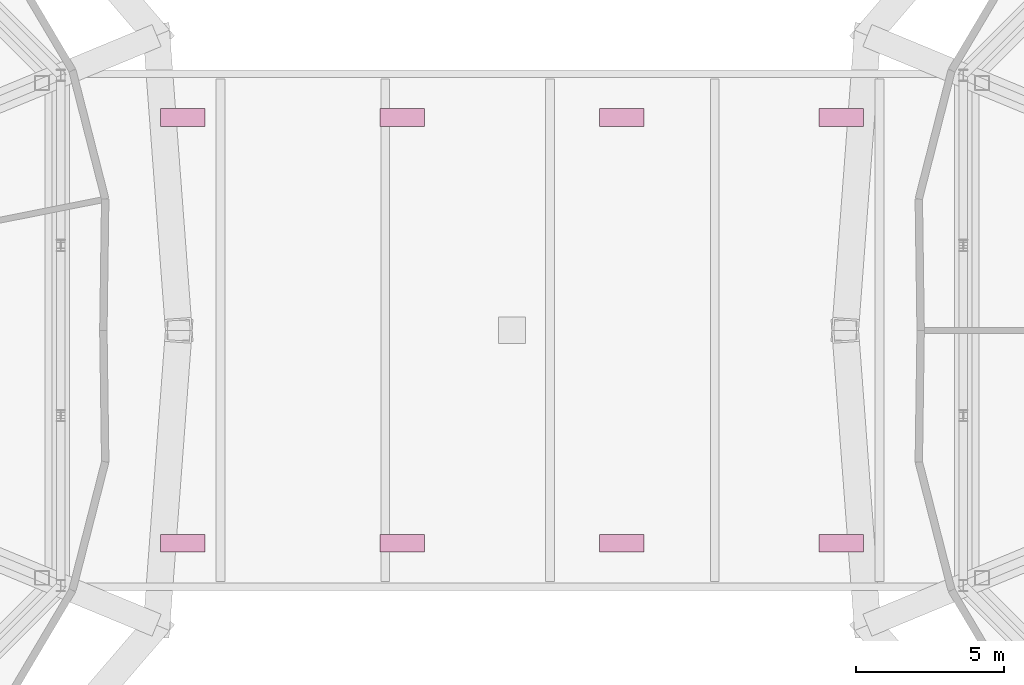
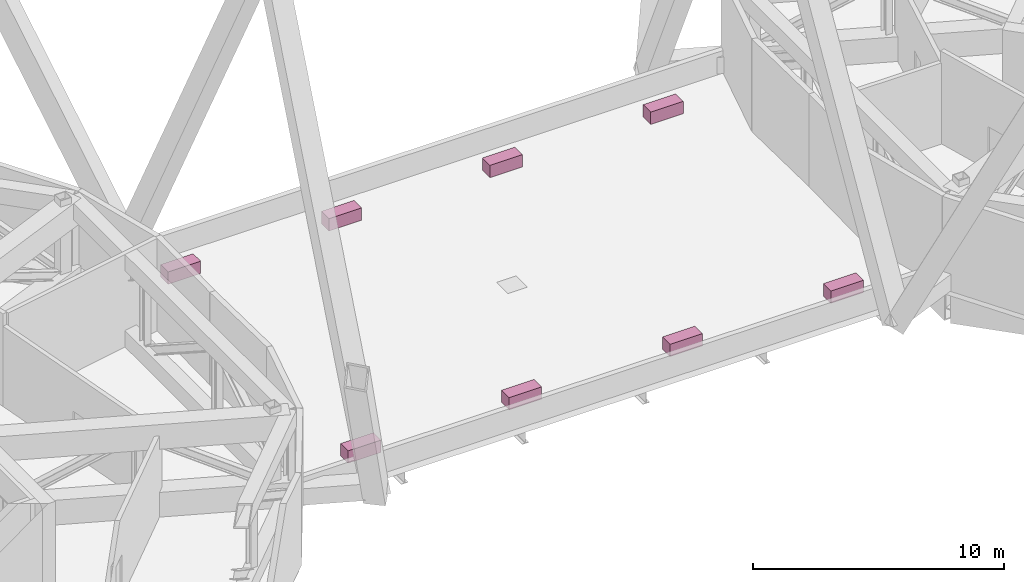
# One storey, part 20 of 20: 8 furniture elements.
"""IFC4 building model written with IfcOpenShell, lengths in metres."""

from ifc_helpers import new_model, si_unit, direction, frame, origin, origin_2d, place, context, subcontext, project, spatial, rectangle, extrude, material, type_object, element, save


model = new_model("IFC4")

# Units and contexts
model_context = context("Model", 3, precision=1e-05, world=origin(), true_north=direction((0.0, 1.0)))
body_context = subcontext(model_context, "Body", "Model", "MODEL_VIEW")
ifc_project = project(units=[si_unit("LENGTHUNIT", "METRE"), si_unit("AREAUNIT", "SQUARE_METRE"), si_unit("VOLUMEUNIT", "CUBIC_METRE"), si_unit("PLANEANGLEUNIT", "RADIAN"), si_unit("MASSUNIT", "GRAM", prefix="KILO")], contexts=[model_context])

# Site, building, storey
site_placement = place(None, origin())
site = spatial("IfcSite", under=ifc_project, at=site_placement, CompositionType="ELEMENT")
building_placement = place(site_placement, origin())
building = spatial("IfcBuilding", under=site, at=building_placement, Name="Ogive Gate Towers", CompositionType="ELEMENT")
storey_placement = place(building_placement, frame((0.0, 0.0, 160.800048828125)))
storey = spatial("IfcBuildingStorey", under=building, at=storey_placement, Name="L38", CompositionType="ELEMENT", Elevation=160.800048828125)

# Furniture
ifc_material = material(Name="Precast concrete C40/50", Category="concrete")
furniture_type = type_object("IfcFurnitureType", Name="Planter 1500 x 600", AssemblyPlace="NOTDEFINED", PredefinedType="USERDEFINED", material=ifc_material)
for number, where, z_axis, x_axis, name in (
    (1, (-11.104736328125, -7.1787109375, 0.0), (0.0, 0.0, 1.0), (1.0, 0.0, 0.0), "Planter"),
    (2, (-11.104736328125, 7.1787109375, 0.0), (0.0, 0.0, 1.0), (1.0, 0.0, 0.0), "Planter"),
    (3, (-3.70166015625, -7.1787109375, 0.0), (0.0, 0.0, 1.0), (1.0, 0.0, 0.0), "Planter"),
    (4, (-3.70166015625, 7.1787109375, 0.0), (0.0, 0.0, 1.0), (1.0, 0.0, 0.0), "Planter"),
    (5, (3.70166015625, -7.1787109375, 0.0), (0.0, 0.0, 1.0), (1.0, 0.0, 0.0), "Planter"),
    (6, (3.70166015625, 7.1787109375, 0.0), (0.0, 0.0, 1.0), (1.0, 0.0, 0.0), "Planter"),
    (7, (11.104736328125, -7.1787109375, 0.0), (0.0, 0.0, 1.0), (1.0, 0.0, 0.0), "Planter"),
    (8, (11.104736328125, 7.1787109375, 0.0), (0.0, 0.0, 1.0), (1.0, 0.0, 0.0), "Planter"),
):
    element("IfcFurniture", number, at=place(storey_placement, frame(where, z_axis=z_axis, x_axis=x_axis)), inside=storey, type_object=furniture_type, Name=name, ObjectType="PLANTER", PredefinedType="USERDEFINED", context=body_context, shape_type="SweptSolid", body=[
        extrude(rectangle(XDim=1.5, YDim=0.60009765625, at=origin_2d()), origin(), (0.0, 0.0, 1.0), 0.60009765625),
    ])

save(model, "model.ifc")
